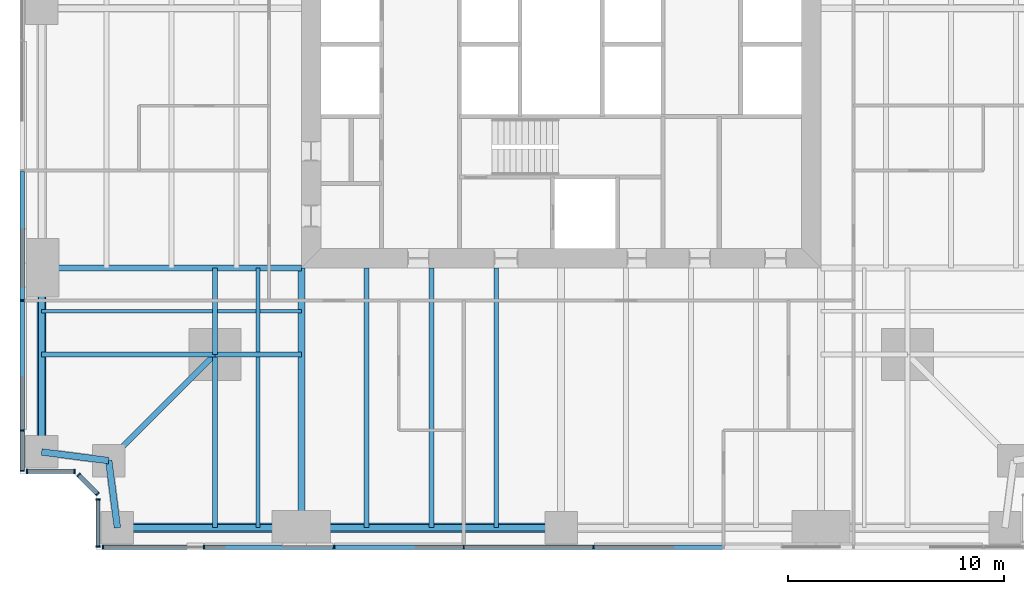
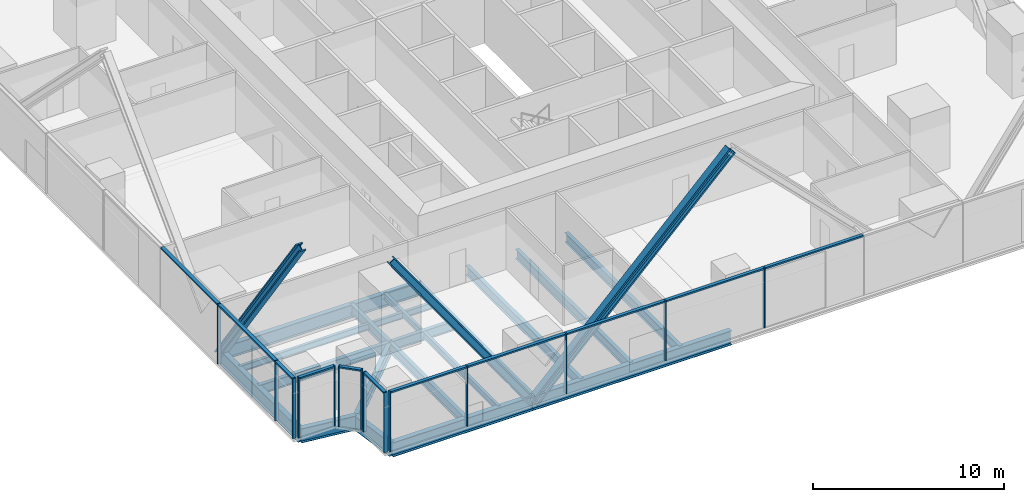
# One storey, part 2 of 13: 28 members, 20 beams, 5 elements without a shape of their own.
"""IFC4 building model written with IfcOpenShell, lengths in metres."""

import ifcopenshell
import ifcopenshell.guid

model = None  # the IFC model being written
_history = None  # IfcOwnerHistory: only IFC2X3 demands one
_inside = {}  # id of a spatial element -> (the spatial element, [elements in it])
_under = {}  # id of a project, library or spatial element -> (it, [spatial elements below it])
_declared = {}  # id of a project -> (the project, [libraries it declares])
_typed = {}  # id of a type object -> (the type object, [elements of that type])
_made_of = {}  # id of a material, layer set ... -> (it, [elements and type objects made of it])


def new_model(schema):
    """Start an empty IFC model of exactly this schema.

    Asked for "IFC4X3", IfcOpenShell would pick the latest addendum, in which some entities
    have other attributes; the version numbers below select the first issue.
    IFC2X3 requires an IfcOwnerHistory on every rooted entity: one is made here for all.
    """
    global model, _history
    if schema == "IFC4X3":
        model = ifcopenshell.file(schema_version=(4, 3, 0, 0))
    else:
        model = ifcopenshell.file(schema=schema)
    _inside.clear()
    _under.clear()
    _declared.clear()
    _typed.clear()
    _made_of.clear()
    _history = None
    if model.schema == "IFC2X3":
        org = make("IfcOrganization", Name="unknown")
        user = make(
            "IfcPersonAndOrganization",
            ThePerson=make("IfcPerson", FamilyName="unknown"),
            TheOrganization=org,
        )
        app = make(
            "IfcApplication",
            ApplicationDeveloper=org,
            Version="unknown",
            ApplicationFullName="unknown",
            ApplicationIdentifier="unknown",
        )
        _history = make(
            "IfcOwnerHistory",
            OwningUser=user,
            OwningApplication=app,
            ChangeAction="ADDED",
            CreationDate=0,
        )
    return model


def make(cls, **values):
    """One entity of the class cls with the attributes given. An attribute that is None is left unset."""
    return model.create_entity(
        cls, **{name: value for name, value in values.items() if value is not None}
    )


def rooted(cls, **values):
    """An entity with a GlobalId (a new one), such as an element, a storey or a relation."""
    return make(cls, GlobalId=ifcopenshell.guid.new(), OwnerHistory=_history, **values)


def si_unit(unit_type, name, prefix=None):
    """IfcSIUnit, for example si_unit("LENGTHUNIT", "METRE", prefix="MILLI")."""
    return make("IfcSIUnit", UnitType=unit_type, Prefix=prefix, Name=name)


def assignment(units):
    """IfcUnitAssignment: the units of a project."""
    return None if units is None else make("IfcUnitAssignment", Units=units)


def point(xyz):
    """IfcCartesianPoint."""
    return None if xyz is None else make("IfcCartesianPoint", Coordinates=xyz)


def direction(xyz):
    """IfcDirection."""
    return None if xyz is None else make("IfcDirection", DirectionRatios=xyz)


def frame(location, z_axis=None, x_axis=None):
    """IfcAxis2Placement3D, a coordinate frame: its origin and axes. An axis left out is left unset."""
    return make(
        "IfcAxis2Placement3D",
        Location=point(location),
        Axis=direction(z_axis),
        RefDirection=direction(x_axis),
    )


def frame_2d(location, x_axis=None):
    """IfcAxis2Placement2D, a coordinate frame in the plane: its origin and x axis."""
    return make(
        "IfcAxis2Placement2D", Location=point(location), RefDirection=direction(x_axis)
    )


def origin():
    """The frame at (0, 0, 0) with its axes left unset."""
    return frame((0.0, 0.0, 0.0))


def origin_2d():
    """The frame at (0, 0) in the plane with its x axis left unset."""
    return frame_2d((0.0, 0.0))


def place(relative_to, where):
    """IfcLocalPlacement: puts the frame where relative to a parent placement (None: the world)."""
    return make(
        "IfcLocalPlacement", PlacementRelTo=relative_to, RelativePlacement=where
    )


def context(
    kind, dimensions, precision=None, world=None, true_north=None, identifier=None
):
    """IfcGeometricRepresentationContext, for example the 3D "Model" context."""
    return make(
        "IfcGeometricRepresentationContext",
        ContextIdentifier=identifier,
        ContextType=kind,
        CoordinateSpaceDimension=dimensions,
        Precision=precision,
        WorldCoordinateSystem=world,
        TrueNorth=true_north,
    )


def subcontext(parent, identifier, kind, view, scale=None):
    """IfcGeometricRepresentationSubContext, for example "Body" below "Model"."""
    return make(
        "IfcGeometricRepresentationSubContext",
        ContextIdentifier=identifier,
        ContextType=kind,
        ParentContext=parent,
        TargetScale=scale,
        TargetView=view,
    )


def project(units=None, contexts=None):
    """IfcProject with its units and contexts."""
    return rooted(
        "IfcProject",
        Name="project",
        RepresentationContexts=contexts,
        UnitsInContext=assignment(units),
    )


def spatial(cls, under=None, at=None, **own):
    """A site, building, storey or space (cls), placed at a placement, below another one or the project."""
    s = rooted(cls, ObjectPlacement=at, **own)
    if under is not None:
        _under.setdefault(under.id(), (under, []))[1].append(s)
    return s


def profile(cls, at=None, kind="AREA", **sizes):
    """A parametric profile (cls). Its sizes go by their IFC names, for example OverallWidth=200.0."""
    return make(cls, ProfileType=kind, Position=at, **sizes)


def rectangle(**sizes):
    """IfcRectangleProfileDef."""
    return profile("IfcRectangleProfileDef", **sizes)


def i_section(**sizes):
    """IfcIShapeProfileDef."""
    return profile("IfcIShapeProfileDef", **sizes)


def extrude(swept, where, along, depth):
    """IfcExtrudedAreaSolid: the profile swept, set in the frame where, extruded along a direction by depth."""
    return make(
        "IfcExtrudedAreaSolid",
        SweptArea=swept,
        Position=where,
        ExtrudedDirection=direction(along),
        Depth=depth,
    )


def shape(context_of_items, identifier, shape_type, items):
    """IfcShapeRepresentation: the items that make up one representation, for example the "Body"."""
    return make(
        "IfcShapeRepresentation",
        ContextOfItems=context_of_items,
        RepresentationIdentifier=identifier,
        RepresentationType=shape_type,
        Items=items,
    )


def material(Name=None, Category=None):
    """IfcMaterial."""
    return make("IfcMaterial", Name=Name, Category=Category)


def material_profile(
    of_material, cross_section, Name=None, Category=None, Priority=None
):
    """IfcMaterialProfile: a cross section and its material."""
    return make(
        "IfcMaterialProfile",
        Name=Name,
        Material=of_material,
        Profile=cross_section,
        Priority=Priority,
        Category=Category,
    )


def profile_set(profiles, Name=None, composite=None):
    """IfcMaterialProfileSet."""
    return make(
        "IfcMaterialProfileSet",
        Name=Name,
        MaterialProfiles=profiles,
        CompositeProfile=composite,
    )


def made_of(thing, what):
    """Note that an element or type object is made of a material, layer set ...; save() writes the relation."""
    if what is not None:
        _made_of.setdefault(what.id(), (what, []))[1].append(thing)
    return thing


def type_object(cls, material=None, **own):
    """A type object (cls), such as IfcWallType, which elements share."""
    return made_of(rooted(cls, **own), material)


def element(
    cls,
    number,
    at=None,
    inside=None,
    cuts=None,
    type_object=None,
    material=None,
    context=None,
    identifier="Body",
    shape_type=None,
    held_by="IfcProductDefinitionShape",
    body=None,
    shapes=None,
    **own,
):
    """One element of the class cls, such as IfcWall. Its Tag is "e" and its number.

    at: its placement. inside: the storey or other place that contains it. cuts: it is an
    opening in that element (IfcRelVoidsElement). A single representation is given by context,
    identifier, shape_type and body (its items); several are given by shapes. held_by: the class
    of the entity that holds the representations. save() writes the other relations.
    """
    e = rooted(cls, Tag="e%d" % number, ObjectPlacement=at, **own)
    if body is not None:
        shapes = [shape(context, identifier, shape_type, body)]
    if shapes is not None:
        e.Representation = make(held_by, Representations=shapes)
    if inside is not None:
        _inside.setdefault(inside.id(), (inside, []))[1].append(e)
    if cuts is not None:
        rooted(
            "IfcRelVoidsElement", RelatingBuildingElement=cuts, RelatedOpeningElement=e
        )
    if type_object is not None:
        _typed.setdefault(type_object.id(), (type_object, []))[1].append(e)
    return made_of(e, material)


def aggregate(whole, parts):
    """IfcRelAggregates: a whole, such as a stair, and the parts it consists of."""
    return rooted("IfcRelAggregates", RelatingObject=whole, RelatedObjects=parts)


def save(model, path):
    """Write the relations noted so far, then the file.

    IfcRelAggregates (storeys below a building ...), IfcRelContainedInSpatialStructure (elements
    in a storey), IfcRelDefinesByType, IfcRelAssociatesMaterial and IfcRelDeclares: one each for
    every whole, place, type object, material and project.
    """
    for whole, parts in _under.values():
        aggregate(whole, parts)
    for where, things in _inside.values():
        rooted(
            "IfcRelContainedInSpatialStructure",
            RelatedElements=things,
            RelatingStructure=where,
        )
    for kind, things in _typed.values():
        rooted("IfcRelDefinesByType", RelatedObjects=things, RelatingType=kind)
    for what, things in _made_of.values():
        rooted("IfcRelAssociatesMaterial", RelatedObjects=things, RelatingMaterial=what)
    for by, libraries in _declared.values():
        rooted("IfcRelDeclares", RelatingContext=by, RelatedDefinitions=libraries)
    model.write(path)


model = new_model("IFC4")

# Units and contexts
model_context = context("Model", 3, precision=1e-05, world=origin(), true_north=direction((0.0, 1.0)))
body_context = subcontext(model_context, "Body", "Model", "MODEL_VIEW")
ifc_project = project(units=[si_unit("LENGTHUNIT", "METRE"), si_unit("AREAUNIT", "SQUARE_METRE"), si_unit("VOLUMEUNIT", "CUBIC_METRE"), si_unit("PLANEANGLEUNIT", "RADIAN"), si_unit("MASSUNIT", "GRAM", prefix="KILO")], contexts=[model_context])

# Site, building, storey
site_placement = place(None, origin())
site = spatial("IfcSite", under=ifc_project, at=site_placement, CompositionType="ELEMENT")
building_placement = place(site_placement, origin())
building = spatial("IfcBuilding", under=site, at=building_placement, Name="Fenwick Lantern Interchange", CompositionType="ELEMENT")
storey_placement = place(building_placement, frame((0.0, 0.0, 55.0)))
storey = spatial("IfcBuildingStorey", under=building, at=storey_placement, Name="L12", CompositionType="ELEMENT", Elevation=55.0)

# Beams
ifc_material_1 = material(Name="Steel ASTM A992 Grade 50", Category="steel")
ifc_material_profile_1 = material_profile(ifc_material_1, i_section(OverallWidth=0.3046875, OverallDepth=0.911865234375, WebThickness=0.015869140625, FlangeThickness=0.02392578125, at=origin_2d()), Name="W36X150")
ifc_profile_set_1 = profile_set([ifc_material_profile_1], Name="Steel ASTM A992 Grade 50")
beam_type_1 = type_object("IfcBeamType", Name="EDGE BEAM W36X150", PredefinedType="SPANDREL", material=ifc_profile_set_1)
beam_1_placement = place(storey_placement, frame((4.5, 1.0, -0.60595703125), z_axis=(1.0, 0.0, 0.0), x_axis=(0.0, 1.0, 0.0)))
element("IfcBeam", 1, at=beam_1_placement, inside=storey, type_object=beam_type_1, Name="L12/FR/S/EB1", PredefinedType="SPANDREL", context=body_context, shape_type="SweptSolid", body=[
    extrude(i_section(OverallWidth=0.3046875, OverallDepth=0.911865234375, WebThickness=0.015869140625, FlangeThickness=0.02392578125, at=origin_2d()), origin(), (0.0, 0.0, 1.0), 8.5),
])
beam_2_placement = place(storey_placement, frame((13.0, 1.0, -0.60595703125), z_axis=(1.0, 0.0, 0.0), x_axis=(0.0, 1.0, 0.0)))
element("IfcBeam", 2, at=beam_2_placement, inside=storey, type_object=beam_type_1, Name="L12/FR/S/EB2", PredefinedType="SPANDREL", context=body_context, shape_type="SweptSolid", body=[
    extrude(i_section(OverallWidth=0.3046875, OverallDepth=0.911865234375, WebThickness=0.015869140625, FlangeThickness=0.02392578125, at=origin_2d()), origin(), (0.0, 0.0, 1.0), 12.0),
])
beam_3_placement = place(storey_placement, frame((1.0, 13.0, -0.60595703125), z_axis=(0.0, -1.0, 0.0), x_axis=(1.0, 0.0, 0.0)))
element("IfcBeam", 3, at=beam_3_placement, inside=storey, type_object=beam_type_1, Name="L12/FR/W/EB4", PredefinedType="SPANDREL", context=body_context, shape_type="SweptSolid", body=[
    extrude(i_section(OverallWidth=0.3046875, OverallDepth=0.911865234375, WebThickness=0.015869140625, FlangeThickness=0.02392578125, at=origin_2d()), origin(), (0.0, 0.0, 1.0), 8.5),
])
for number, where, z_axis, x_axis, name in (
    (4, (1.0, 4.5, -0.60595703125), (0.991782342897, -0.127936641807, 0.0), (0.127936641807, 0.991782342897, 0.0), "L12/FR/W/EBR1"),
    (5, (4.10009765625, 4.10009765625, -0.60595703125), (0.127936641807, -0.991782342897, 0.0), (0.991782342897, 0.127936641807, 0.0), "L12/FR/W/EBR2"),
):
    element("IfcBeam", number, at=place(storey_placement, frame(where, z_axis=z_axis, x_axis=x_axis)), inside=storey, type_object=beam_type_1, Name=name, PredefinedType="SPANDREL", context=body_context, shape_type="SweptSolid", body=[
        extrude(i_section(OverallWidth=0.3046875, OverallDepth=0.911865234375, WebThickness=0.015869140625, FlangeThickness=0.02392578125, at=origin_2d()), origin(), (0.0, 0.0, 1.0), 3.125732421875),
    ])

# Members
ifc_material_profile_2 = material_profile(ifc_material_1, i_section(OverallWidth=0.424072265625, OverallDepth=0.47509765625, WebThickness=0.0478515625, FlangeThickness=0.0771484375, at=origin_2d()), Name="W14X426")
ifc_profile_set_2 = profile_set([ifc_material_profile_2], Name="Steel ASTM A992 Grade 50")
member_type_1 = type_object("IfcMemberType", Name="FACADE BRACE W14X426", PredefinedType="BRACE", material=ifc_profile_set_2)
for number, where, z_axis, x_axis, name in (
    (6, (13.0, 1.0, -0.60595703125), (-0.57801734078, 0.0, 0.816024481102), (0.0, -1.0, 0.0), "L12/FB/S/AE"),
    (7, (1.0, 13.0, -0.60595703125), (0.0, -0.57801734078, 0.816024481102), (1.0, 0.0, 0.0), "L12/FB/W/BE"),
):
    element("IfcMember", number, at=place(storey_placement, frame(where, z_axis=z_axis, x_axis=x_axis)), inside=storey, type_object=member_type_1, Name=name, PredefinedType="BRACE", context=body_context, shape_type="SweptSolid", body=[
        extrude(i_section(OverallWidth=0.424072265625, OverallDepth=0.47509765625, WebThickness=0.0478515625, FlangeThickness=0.0771484375, at=origin_2d()), origin(), (0.0, 0.0, 1.0), 14.705322265625),
    ])
ifc_material_profile_3 = material_profile(ifc_material_1, i_section(OverallWidth=0.44189453125, OverallDepth=0.53076171875, WebThickness=0.06591796875, FlangeThickness=0.105712890625, at=origin_2d()), Name="W14X605")
ifc_profile_set_3 = profile_set([ifc_material_profile_3], Name="Steel ASTM A992 Grade 50")
member_type_2 = type_object("IfcMemberType", Name="FACADE BRACE W14X605", PredefinedType="BRACE", material=ifc_profile_set_3)
member_1_placement = place(storey_placement, frame((13.0, 1.0, -0.60595703125), z_axis=(0.707106781187, 0.0, 0.707106781187), x_axis=(0.0, 1.0, 0.0)))
element("IfcMember", 8, at=member_1_placement, inside=storey, type_object=member_type_2, Name="L12/FB/S/A", PredefinedType="BRACE", context=body_context, shape_type="SweptSolid", body=[
    extrude(i_section(OverallWidth=0.44189453125, OverallDepth=0.53076171875, WebThickness=0.06591796875, FlangeThickness=0.105712890625, at=origin_2d()), origin(), (0.0, 0.0, 1.0), 16.970458984375),
])

# Beams
ifc_material_profile_4 = material_profile(ifc_material_1, i_section(OverallWidth=0.22900390625, OverallDepth=0.612060546875, WebThickness=0.011962890625, FlangeThickness=0.01953125, at=origin_2d()), Name="W24X84")
ifc_profile_set_4 = profile_set([ifc_material_profile_4], Name="Steel ASTM A992 Grade 50")
beam_type_2 = type_object("IfcBeamType", Name="FLOOR BEAM W24X84", PredefinedType="BEAM", material=ifc_profile_set_4)
for number, where, z_axis, x_axis, name in (
    (9, (16.0, 1.0, -0.4560546875), (0.0, 1.0, 0.0), (-1.0, 0.0, 0.0), "L12/FR/S/R02"),
    (10, (19.0, 1.0, -0.4560546875), (0.0, 1.0, 0.0), (-1.0, 0.0, 0.0), "L12/FR/S/R03"),
    (11, (22.0, 1.0, -0.4560546875), (0.0, 1.0, 0.0), (-1.0, 0.0, 0.0), "L12/FR/S/R04"),
):
    element("IfcBeam", number, at=place(storey_placement, frame(where, z_axis=z_axis, x_axis=x_axis)), inside=storey, type_object=beam_type_2, Name=name, PredefinedType="BEAM", context=body_context, shape_type="SweptSolid", body=[
        extrude(i_section(OverallWidth=0.22900390625, OverallDepth=0.612060546875, WebThickness=0.011962890625, FlangeThickness=0.01953125, at=origin_2d()), origin(), (0.0, 0.0, 1.0), 12.0),
    ])
ifc_material_profile_5 = material_profile(ifc_material_1, i_section(OverallWidth=0.177734375, OverallDepth=0.406494140625, WebThickness=0.0078125, FlangeThickness=0.012939453125, at=origin_2d()), Name="W16X40")
ifc_profile_set_5 = profile_set([ifc_material_profile_5], Name="Steel ASTM A992 Grade 50")
beam_type_3 = type_object("IfcBeamType", Name="INFILL BEAM W16X40", PredefinedType="JOIST", material=ifc_profile_set_5)
beam_4_placement = place(storey_placement, frame((11.0, 1.0, -0.353271484375), z_axis=(0.0, 1.0, 0.0), x_axis=(-1.0, 0.0, 0.0)))
element("IfcBeam", 12, at=beam_4_placement, inside=storey, type_object=beam_type_3, Name="L12/FR/S/J1", PredefinedType="JOIST", context=body_context, shape_type="SweptSolid", body=[
    extrude(i_section(OverallWidth=0.177734375, OverallDepth=0.406494140625, WebThickness=0.0078125, FlangeThickness=0.012939453125, at=origin_2d()), origin(), (0.0, 0.0, 1.0), 7.885498046875),
])
beam_5_placement = place(storey_placement, frame((11.0, 9.114501953125, -0.353271484375), z_axis=(0.0, 1.0, 0.0), x_axis=(-1.0, 0.0, 0.0)))
element("IfcBeam", 13, at=beam_5_placement, inside=storey, type_object=beam_type_3, Name="L12/FR/S/J2", PredefinedType="JOIST", context=body_context, shape_type="SweptSolid", body=[
    extrude(i_section(OverallWidth=0.177734375, OverallDepth=0.406494140625, WebThickness=0.0078125, FlangeThickness=0.012939453125, at=origin_2d()), origin(), (0.0, 0.0, 1.0), 3.885498046875),
])
beam_6_placement = place(storey_placement, frame((1.0, 11.0, -0.353271484375), z_axis=(1.0, 0.0, 0.0), x_axis=(0.0, 1.0, 0.0)))
element("IfcBeam", 14, at=beam_6_placement, inside=storey, type_object=beam_type_3, Name="L12/FR/S/J3", PredefinedType="JOIST", context=body_context, shape_type="SweptSolid", body=[
    extrude(i_section(OverallWidth=0.177734375, OverallDepth=0.406494140625, WebThickness=0.0078125, FlangeThickness=0.012939453125, at=origin_2d()), origin(), (0.0, 0.0, 1.0), 7.885498046875),
])
beam_7_placement = place(storey_placement, frame((9.114501953125, 11.0, -0.353271484375), z_axis=(1.0, 0.0, 0.0), x_axis=(0.0, 1.0, 0.0)))
element("IfcBeam", 15, at=beam_7_placement, inside=storey, type_object=beam_type_3, Name="L12/FR/S/J4", PredefinedType="JOIST", context=body_context, shape_type="SweptSolid", body=[
    extrude(i_section(OverallWidth=0.177734375, OverallDepth=0.406494140625, WebThickness=0.0078125, FlangeThickness=0.012939453125, at=origin_2d()), origin(), (0.0, 0.0, 1.0), 1.796630859375),
])
beam_8_placement = place(storey_placement, frame((11.0888671875, 11.0, -0.353271484375), z_axis=(1.0, 0.0, 0.0), x_axis=(0.0, 1.0, 0.0)))
element("IfcBeam", 16, at=beam_8_placement, inside=storey, type_object=beam_type_3, Name="L12/FR/S/J5", PredefinedType="JOIST", context=body_context, shape_type="SweptSolid", body=[
    extrude(i_section(OverallWidth=0.177734375, OverallDepth=0.406494140625, WebThickness=0.0078125, FlangeThickness=0.012939453125, at=origin_2d()), origin(), (0.0, 0.0, 1.0), 1.9111328125),
])
ifc_material_profile_6 = material_profile(ifc_material_1, i_section(OverallWidth=0.22900390625, OverallDepth=0.612060546875, WebThickness=0.011962890625, FlangeThickness=0.01953125, at=origin_2d()), Name="W24X84")
ifc_profile_set_6 = profile_set([ifc_material_profile_6], Name="Steel ASTM A992 Grade 50")
beam_type_4 = type_object("IfcBeamType", Name="MEGA COLUMN BEAM W24X84", PredefinedType="BEAM", material=ifc_profile_set_6)
for number, where, z_axis, x_axis, name in (
    (17, (9.0, 9.0, -0.4560546875), (0.0, -1.0, 0.0), (1.0, 0.0, 0.0), "L12/FR/S/MB1"),
    (18, (9.0, 9.0, -0.4560546875), (-1.0, 0.0, 0.0), (0.0, -1.0, 0.0), "L12/FR/S/MB2"),
):
    element("IfcBeam", number, at=place(storey_placement, frame(where, z_axis=z_axis, x_axis=x_axis)), inside=storey, type_object=beam_type_4, Name=name, PredefinedType="BEAM", context=body_context, shape_type="SweptSolid", body=[
        extrude(i_section(OverallWidth=0.22900390625, OverallDepth=0.612060546875, WebThickness=0.011962890625, FlangeThickness=0.01953125, at=origin_2d()), origin(), (0.0, 0.0, 1.0), 8.0),
    ])
for number, where, z_axis, x_axis, name in (
    (19, (9.0, 9.0, -0.4560546875), (1.0, 0.0, 0.0), (0.0, 1.0, 0.0), "L12/FR/S/MB3"),
    (20, (9.0, 9.0, -0.4560546875), (0.0, 1.0, 0.0), (-1.0, 0.0, 0.0), "L12/FR/S/MB4"),
):
    element("IfcBeam", number, at=place(storey_placement, frame(where, z_axis=z_axis, x_axis=x_axis)), inside=storey, type_object=beam_type_4, Name=name, PredefinedType="BEAM", context=body_context, shape_type="SweptSolid", body=[
        extrude(i_section(OverallWidth=0.22900390625, OverallDepth=0.612060546875, WebThickness=0.011962890625, FlangeThickness=0.01953125, at=origin_2d()), origin(), (0.0, 0.0, 1.0), 4.0),
    ])
ifc_material_profile_7 = material_profile(ifc_material_1, i_section(OverallWidth=0.32763671875, OverallDepth=0.622314453125, WebThickness=0.015380859375, FlangeThickness=0.0244140625, at=origin_2d()), Name="W24X131")
ifc_profile_set_7 = profile_set([ifc_material_profile_7], Name="Steel ASTM A992 Grade 50")
beam_type_5 = type_object("IfcBeamType", Name="MOMENT-CONNECTED GIRDER W24X131", PredefinedType="BEAM", material=ifc_profile_set_7)
beam_9_placement = place(storey_placement, frame((13.0, 1.0, -0.461181640625), z_axis=(0.0, 1.0, 0.0), x_axis=(-1.0, 0.0, 0.0)))
element("IfcBeam", 21, at=beam_9_placement, inside=storey, type_object=beam_type_5, Name="L12/FR/S/R01", PredefinedType="BEAM", context=body_context, shape_type="SweptSolid", body=[
    extrude(i_section(OverallWidth=0.32763671875, OverallDepth=0.622314453125, WebThickness=0.015380859375, FlangeThickness=0.0244140625, at=origin_2d()), origin(), (0.0, 0.0, 1.0), 12.0),
])
ifc_material_profile_8 = material_profile(ifc_material_1, i_section(OverallWidth=0.2919921875, OverallDepth=0.845703125, WebThickness=0.015380859375, FlangeThickness=0.0244140625, at=origin_2d()), Name="W33X141")
ifc_profile_set_8 = profile_set([ifc_material_profile_8], Name="Steel ASTM A992 Grade 50")
beam_type_6 = type_object("IfcBeamType", Name="MOMENT-CONNECTED GIRDER W33X141", PredefinedType="BEAM", material=ifc_profile_set_8)
beam_10_placement = place(storey_placement, frame((1.0, 13.0, -0.572998046875), z_axis=(1.0, 0.0, 0.0), x_axis=(0.0, 1.0, 0.0)))
element("IfcBeam", 22, at=beam_10_placement, inside=storey, type_object=beam_type_6, Name="L12/FR/W/R03", PredefinedType="BEAM", context=body_context, shape_type="SweptSolid", body=[
    extrude(i_section(OverallWidth=0.2919921875, OverallDepth=0.845703125, WebThickness=0.015380859375, FlangeThickness=0.0244140625, at=origin_2d()), origin(), (0.0, 0.0, 1.0), 12.0),
])
ifc_material_profile_9 = material_profile(ifc_material_1, i_section(OverallWidth=0.2666015625, OverallDepth=0.7568359375, WebThickness=0.013916015625, FlangeThickness=0.019287109375, at=origin_2d()), Name="W30X108")
ifc_profile_set_9 = profile_set([ifc_material_profile_9], Name="Steel ASTM A992 Grade 50")
beam_type_7 = type_object("IfcBeamType", Name="NOTCH BEAM W30X108", PredefinedType="BEAM", material=ifc_profile_set_9)
beam_11_placement = place(storey_placement, frame((9.0, 9.0, -0.528564453125), z_axis=(-0.707106781187, -0.707106781187, 0.0), x_axis=(0.707106781187, -0.707106781187, 0.0)))
element("IfcBeam", 23, at=beam_11_placement, inside=storey, type_object=beam_type_7, Name="L12/FR/S/TG", PredefinedType="BEAM", context=body_context, shape_type="SweptSolid", body=[
    extrude(i_section(OverallWidth=0.2666015625, OverallDepth=0.7568359375, WebThickness=0.013916015625, FlangeThickness=0.019287109375, at=origin_2d()), origin(), (0.0, 0.0, 1.0), 6.929443359375),
])

# Curtain wall, members
ifc_material_2 = material(Name="Aluminium curtain wall frame", Category="aluminium")
curtain_wall_type = type_object("IfcCurtainWallType", Name="OFFICE CURTAIN WALL", PredefinedType="USERDEFINED", material=ifc_material_2)
curtain_wall_1_placement = place(storey_placement, origin())
curtain_wall_1 = element("IfcCurtainWall", 24, at=curtain_wall_1_placement, inside=storey, type_object=curtain_wall_type, Name="Office curtain wall 01", ObjectType="OFFICE CURTAIN WALL", PredefinedType="USERDEFINED")
ifc_material_3 = material(Name="Aluminium extrusion", Category="aluminium")
ifc_material_profile_10 = material_profile(ifc_material_3, rectangle(XDim=0.199951171875, YDim=0.06494140625, at=origin_2d()), Name="OFFICE CURTAIN WALL MULLION 65 X 200")
ifc_profile_set_10 = profile_set([ifc_material_profile_10], Name="Aluminium extrusion")
member_type_3 = type_object("IfcMemberType", Name="OFFICE CURTAIN WALL MULLION 65 X 200", PredefinedType="MULLION", material=ifc_profile_set_10)
member_2_placement = place(storey_placement, frame((3.83251953125, 0.10009765625, 0.0), z_axis=(0.0, 0.0, 1.0), x_axis=(0.0, 1.0, 0.0)))
member_2 = element("IfcMember", 25, at=member_2_placement, type_object=member_type_3, Name="L12/CW/01/M00", PredefinedType="MULLION", context=body_context, shape_type="SweptSolid", body=[
    extrude(rectangle(XDim=0.199951171875, YDim=0.06494140625, at=origin_2d()), origin(), (0.0, 0.0, 1.0), 3.85009765625),
])
member_3_placement = place(storey_placement, frame((8.5, 0.10009765625, 0.0), z_axis=(0.0, 0.0, 1.0), x_axis=(0.0, 1.0, 0.0)))
member_3 = element("IfcMember", 26, at=member_3_placement, type_object=member_type_3, Name="L12/CW/01/M01", PredefinedType="MULLION", context=body_context, shape_type="SweptSolid", body=[
    extrude(rectangle(XDim=0.199951171875, YDim=0.06494140625, at=origin_2d()), origin(), (0.0, 0.0, 1.0), 3.85009765625),
])
member_4_placement = place(storey_placement, frame((14.5, 0.10009765625, 0.0), z_axis=(0.0, 0.0, 1.0), x_axis=(0.0, 1.0, 0.0)))
member_4 = element("IfcMember", 27, at=member_4_placement, type_object=member_type_3, Name="L12/CW/01/M02", PredefinedType="MULLION", context=body_context, shape_type="SweptSolid", body=[
    extrude(rectangle(XDim=0.199951171875, YDim=0.06494140625, at=origin_2d()), origin(), (0.0, 0.0, 1.0), 3.85009765625),
])
member_5_placement = place(storey_placement, frame((20.5, 0.10009765625, 0.0), z_axis=(0.0, 0.0, 1.0), x_axis=(0.0, 1.0, 0.0)))
member_5 = element("IfcMember", 28, at=member_5_placement, type_object=member_type_3, Name="L12/CW/01/M03", PredefinedType="MULLION", context=body_context, shape_type="SweptSolid", body=[
    extrude(rectangle(XDim=0.199951171875, YDim=0.06494140625, at=origin_2d()), origin(), (0.0, 0.0, 1.0), 3.85009765625),
])
member_6_placement = place(storey_placement, frame((26.5, 0.10009765625, 0.0), z_axis=(0.0, 0.0, 1.0), x_axis=(0.0, 1.0, 0.0)))
member_6 = element("IfcMember", 29, at=member_6_placement, type_object=member_type_3, Name="L12/CW/01/M04", PredefinedType="MULLION", context=body_context, shape_type="SweptSolid", body=[
    extrude(rectangle(XDim=0.199951171875, YDim=0.06494140625, at=origin_2d()), origin(), (0.0, 0.0, 1.0), 3.85009765625),
])

curtain_wall_2_placement = place(storey_placement, origin())
curtain_wall_2 = element("IfcCurtainWall", 30, at=curtain_wall_2_placement, inside=storey, type_object=curtain_wall_type, Name="Office curtain wall 13", ObjectType="OFFICE CURTAIN WALL", PredefinedType="USERDEFINED")
member_7_placement = place(storey_placement, frame((0.10009765625, 11.5, 0.0), z_axis=(0.0, 0.0, 1.0), x_axis=(1.0, 0.0, 0.0)))
member_7 = element("IfcMember", 31, at=member_7_placement, type_object=member_type_3, Name="L12/CW/13/M06", PredefinedType="MULLION", context=body_context, shape_type="SweptSolid", body=[
    extrude(rectangle(XDim=0.199951171875, YDim=0.06494140625, at=origin_2d()), origin(), (0.0, 0.0, 1.0), 3.85009765625),
])
member_8_placement = place(storey_placement, frame((0.10009765625, 5.5, 0.0), z_axis=(0.0, 0.0, 1.0), x_axis=(1.0, 0.0, 0.0)))
member_8 = element("IfcMember", 32, at=member_8_placement, type_object=member_type_3, Name="L12/CW/13/M07", PredefinedType="MULLION", context=body_context, shape_type="SweptSolid", body=[
    extrude(rectangle(XDim=0.199951171875, YDim=0.06494140625, at=origin_2d()), origin(), (0.0, 0.0, 1.0), 3.85009765625),
])
member_9_placement = place(storey_placement, frame((0.10009765625, 3.632568359375, 0.0), z_axis=(0.0, 0.0, 1.0), x_axis=(1.0, 0.0, 0.0)))
member_9 = element("IfcMember", 33, at=member_9_placement, type_object=member_type_3, Name="L12/CW/13/M08", PredefinedType="MULLION", context=body_context, shape_type="SweptSolid", body=[
    extrude(rectangle(XDim=0.199951171875, YDim=0.06494140625, at=origin_2d()), origin(), (0.0, 0.0, 1.0), 3.85009765625),
])

curtain_wall_3_placement = place(storey_placement, origin())
curtain_wall_3 = element("IfcCurtainWall", 34, at=curtain_wall_3_placement, inside=storey, type_object=curtain_wall_type, Name="Office curtain wall 14", ObjectType="OFFICE CURTAIN WALL", PredefinedType="USERDEFINED")
member_10_placement = place(storey_placement, frame((0.33251953125, 3.60009765625, 0.0), z_axis=(0.0, 0.0, 1.0), x_axis=(0.0, 1.0, 0.0)))
member_10 = element("IfcMember", 35, at=member_10_placement, type_object=member_type_3, Name="L12/CW/14/M00", PredefinedType="MULLION", context=body_context, shape_type="SweptSolid", body=[
    extrude(rectangle(XDim=0.199951171875, YDim=0.06494140625, at=origin_2d()), origin(), (0.0, 0.0, 1.0), 3.85009765625),
])
member_11_placement = place(storey_placement, frame((2.509033203125, 3.60009765625, 0.0), z_axis=(0.0, 0.0, 1.0), x_axis=(0.0, 1.0, 0.0)))
member_11 = element("IfcMember", 36, at=member_11_placement, type_object=member_type_3, Name="L12/CW/14/M01", PredefinedType="MULLION", context=body_context, shape_type="SweptSolid", body=[
    extrude(rectangle(XDim=0.199951171875, YDim=0.06494140625, at=origin_2d()), origin(), (0.0, 0.0, 1.0), 3.85009765625),
])

curtain_wall_4_placement = place(storey_placement, origin())
curtain_wall_4 = element("IfcCurtainWall", 37, at=curtain_wall_4_placement, inside=storey, type_object=curtain_wall_type, Name="Office curtain wall 15", ObjectType="OFFICE CURTAIN WALL", PredefinedType="USERDEFINED")
member_12_placement = place(storey_placement, frame((2.705810546875, 3.435546875, 0.0), z_axis=(0.0, 0.0, 1.0), x_axis=(0.707106781187, 0.707106781187, 0.0)))
member_12 = element("IfcMember", 38, at=member_12_placement, type_object=member_type_3, Name="L12/CW/15/M00", PredefinedType="MULLION", context=body_context, shape_type="SweptSolid", body=[
    extrude(rectangle(XDim=0.199951171875, YDim=0.06494140625, at=origin_2d()), origin(), (0.0, 0.0, 1.0), 3.85009765625),
])
member_13_placement = place(storey_placement, frame((3.576904296875, 2.564453125, 0.0), z_axis=(0.0, 0.0, 1.0), x_axis=(0.707106781187, 0.707106781187, 0.0)))
member_13 = element("IfcMember", 39, at=member_13_placement, type_object=member_type_3, Name="L12/CW/15/M01", PredefinedType="MULLION", context=body_context, shape_type="SweptSolid", body=[
    extrude(rectangle(XDim=0.199951171875, YDim=0.06494140625, at=origin_2d()), origin(), (0.0, 0.0, 1.0), 3.85009765625),
])

curtain_wall_5_placement = place(storey_placement, origin())
curtain_wall_5 = element("IfcCurtainWall", 40, at=curtain_wall_5_placement, inside=storey, type_object=curtain_wall_type, Name="Office curtain wall 16", ObjectType="OFFICE CURTAIN WALL", PredefinedType="USERDEFINED")
member_14_placement = place(storey_placement, frame((3.60009765625, 2.308837890625, 0.0), z_axis=(0.0, 0.0, 1.0), x_axis=(1.0, 0.0, 0.0)))
member_14 = element("IfcMember", 41, at=member_14_placement, type_object=member_type_3, Name="L12/CW/16/M00", PredefinedType="MULLION", context=body_context, shape_type="SweptSolid", body=[
    extrude(rectangle(XDim=0.199951171875, YDim=0.06494140625, at=origin_2d()), origin(), (0.0, 0.0, 1.0), 3.85009765625),
])
member_15_placement = place(storey_placement, frame((3.60009765625, 0.132568359375, 0.0), z_axis=(0.0, 0.0, 1.0), x_axis=(1.0, 0.0, 0.0)))
member_15 = element("IfcMember", 42, at=member_15_placement, type_object=member_type_3, Name="L12/CW/16/M01", PredefinedType="MULLION", context=body_context, shape_type="SweptSolid", body=[
    extrude(rectangle(XDim=0.199951171875, YDim=0.06494140625, at=origin_2d()), origin(), (0.0, 0.0, 1.0), 3.85009765625),
])

# Member
ifc_material_profile_11 = material_profile(ifc_material_3, rectangle(XDim=0.199951171875, YDim=0.10009765625, at=origin_2d()), Name="OFFICE CURTAIN WALL TRANSOM 100 X 200")
ifc_profile_set_11 = profile_set([ifc_material_profile_11], Name="Aluminium extrusion")
member_type_4 = type_object("IfcMemberType", Name="OFFICE CURTAIN WALL TRANSOM 100 X 200", PredefinedType="MULLION", material=ifc_profile_set_11)
member_16_placement = place(storey_placement, frame((3.864990234375, 0.10009765625, 3.800048828125), z_axis=(1.0, 0.0, 0.0), x_axis=(0.0, 1.0, 0.0)))
member_16 = element("IfcMember", 43, at=member_16_placement, type_object=member_type_4, Name="L12/CW/01/T00", PredefinedType="MULLION", context=body_context, shape_type="SweptSolid", body=[
    extrude(rectangle(XDim=0.199951171875, YDim=0.10009765625, at=origin_2d()), origin(), (0.0, 0.0, 1.0), 4.6025390625),
])

member_17_placement = place(storey_placement, frame((8.532470703125, 0.10009765625, 3.800048828125), z_axis=(1.0, 0.0, 0.0), x_axis=(0.0, 1.0, 0.0)))
member_17 = element("IfcMember", 44, at=member_17_placement, type_object=member_type_4, Name="L12/CW/01/T01", PredefinedType="MULLION", context=body_context, shape_type="SweptSolid", body=[
    extrude(rectangle(XDim=0.199951171875, YDim=0.10009765625, at=origin_2d()), origin(), (0.0, 0.0, 1.0), 5.93505859375),
])

member_18_placement = place(storey_placement, frame((14.532470703125, 0.10009765625, 3.800048828125), z_axis=(1.0, 0.0, 0.0), x_axis=(0.0, 1.0, 0.0)))
member_18 = element("IfcMember", 45, at=member_18_placement, type_object=member_type_4, Name="L12/CW/01/T02", PredefinedType="MULLION", context=body_context, shape_type="SweptSolid", body=[
    extrude(rectangle(XDim=0.199951171875, YDim=0.10009765625, at=origin_2d()), origin(), (0.0, 0.0, 1.0), 5.93505859375),
])

member_19_placement = place(storey_placement, frame((20.532470703125, 0.10009765625, 3.800048828125), z_axis=(1.0, 0.0, 0.0), x_axis=(0.0, 1.0, 0.0)))
member_19 = element("IfcMember", 46, at=member_19_placement, type_object=member_type_4, Name="L12/CW/01/T03", PredefinedType="MULLION", context=body_context, shape_type="SweptSolid", body=[
    extrude(rectangle(XDim=0.199951171875, YDim=0.10009765625, at=origin_2d()), origin(), (0.0, 0.0, 1.0), 5.93505859375),
])

member_20_placement = place(storey_placement, frame((26.532470703125, 0.10009765625, 3.800048828125), z_axis=(1.0, 0.0, 0.0), x_axis=(0.0, 1.0, 0.0)))
member_20 = element("IfcMember", 47, at=member_20_placement, type_object=member_type_4, Name="L12/CW/01/T04", PredefinedType="MULLION", context=body_context, shape_type="SweptSolid", body=[
    extrude(rectangle(XDim=0.199951171875, YDim=0.10009765625, at=origin_2d()), origin(), (0.0, 0.0, 1.0), 5.93505859375),
])

aggregate(curtain_wall_1, [member_2, member_3, member_4, member_5, member_6, member_16, member_17, member_18, member_19, member_20])

member_21_placement = place(storey_placement, frame((0.10009765625, 17.467529296875, 3.800048828125), z_axis=(0.0, -1.0, 0.0), x_axis=(1.0, 0.0, 0.0)))
member_21 = element("IfcMember", 48, at=member_21_placement, type_object=member_type_4, Name="L12/CW/13/T05", PredefinedType="MULLION", context=body_context, shape_type="SweptSolid", body=[
    extrude(rectangle(XDim=0.199951171875, YDim=0.10009765625, at=origin_2d()), origin(), (0.0, 0.0, 1.0), 5.93505859375),
])

member_22_placement = place(storey_placement, frame((0.10009765625, 11.467529296875, 3.800048828125), z_axis=(0.0, -1.0, 0.0), x_axis=(1.0, 0.0, 0.0)))
member_22 = element("IfcMember", 49, at=member_22_placement, type_object=member_type_4, Name="L12/CW/13/T06", PredefinedType="MULLION", context=body_context, shape_type="SweptSolid", body=[
    extrude(rectangle(XDim=0.199951171875, YDim=0.10009765625, at=origin_2d()), origin(), (0.0, 0.0, 1.0), 5.93505859375),
])

member_23_placement = place(storey_placement, frame((0.10009765625, 5.467529296875, 3.800048828125), z_axis=(0.0, -1.0, 0.0), x_axis=(1.0, 0.0, 0.0)))
member_23 = element("IfcMember", 50, at=member_23_placement, type_object=member_type_4, Name="L12/CW/13/T07", PredefinedType="MULLION", context=body_context, shape_type="SweptSolid", body=[
    extrude(rectangle(XDim=0.199951171875, YDim=0.10009765625, at=origin_2d()), origin(), (0.0, 0.0, 1.0), 1.802490234375),
])

aggregate(curtain_wall_2, [member_7, member_8, member_9, member_21, member_22, member_23])

member_24_placement = place(storey_placement, frame((0.364990234375, 3.60009765625, 3.800048828125), z_axis=(1.0, 0.0, 0.0), x_axis=(0.0, 1.0, 0.0)))
member_24 = element("IfcMember", 51, at=member_24_placement, type_object=member_type_4, Name="L12/CW/14/T00", PredefinedType="MULLION", context=body_context, shape_type="SweptSolid", body=[
    extrude(rectangle(XDim=0.199951171875, YDim=0.10009765625, at=origin_2d()), origin(), (0.0, 0.0, 1.0), 2.111328125),
])

aggregate(curtain_wall_3, [member_10, member_11, member_24])

member_25_placement = place(storey_placement, frame((2.728759765625, 3.41259765625, 3.800048828125), z_axis=(0.707106781187, -0.707106781187, 0.0), x_axis=(0.707106781187, 0.707106781187, 0.0)))
member_25 = element("IfcMember", 52, at=member_25_placement, type_object=member_type_4, Name="L12/CW/15/T00", PredefinedType="MULLION", context=body_context, shape_type="SweptSolid", body=[
    extrude(rectangle(XDim=0.199951171875, YDim=0.10009765625, at=origin_2d()), origin(), (0.0, 0.0, 1.0), 1.1669921875),
])

aggregate(curtain_wall_4, [member_12, member_13, member_25])

member_26_placement = place(storey_placement, frame((3.60009765625, 2.2763671875, 3.800048828125), z_axis=(0.0, -1.0, 0.0), x_axis=(1.0, 0.0, 0.0)))
member_26 = element("IfcMember", 53, at=member_26_placement, type_object=member_type_4, Name="L12/CW/16/T00", PredefinedType="MULLION", context=body_context, shape_type="SweptSolid", body=[
    extrude(rectangle(XDim=0.199951171875, YDim=0.10009765625, at=origin_2d()), origin(), (0.0, 0.0, 1.0), 2.111328125),
])

aggregate(curtain_wall_5, [member_14, member_15, member_26])

save(model, "model.ifc")
